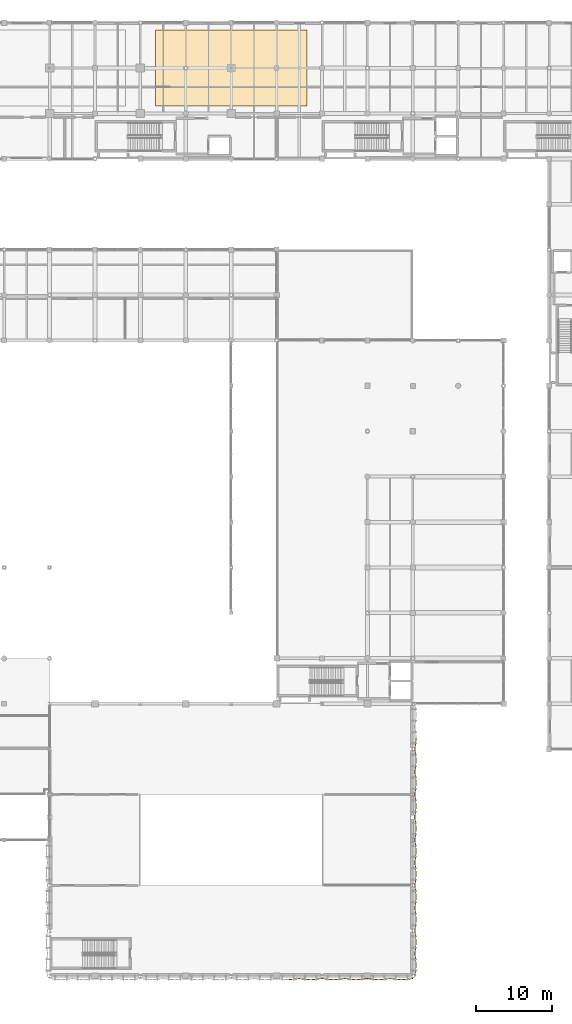
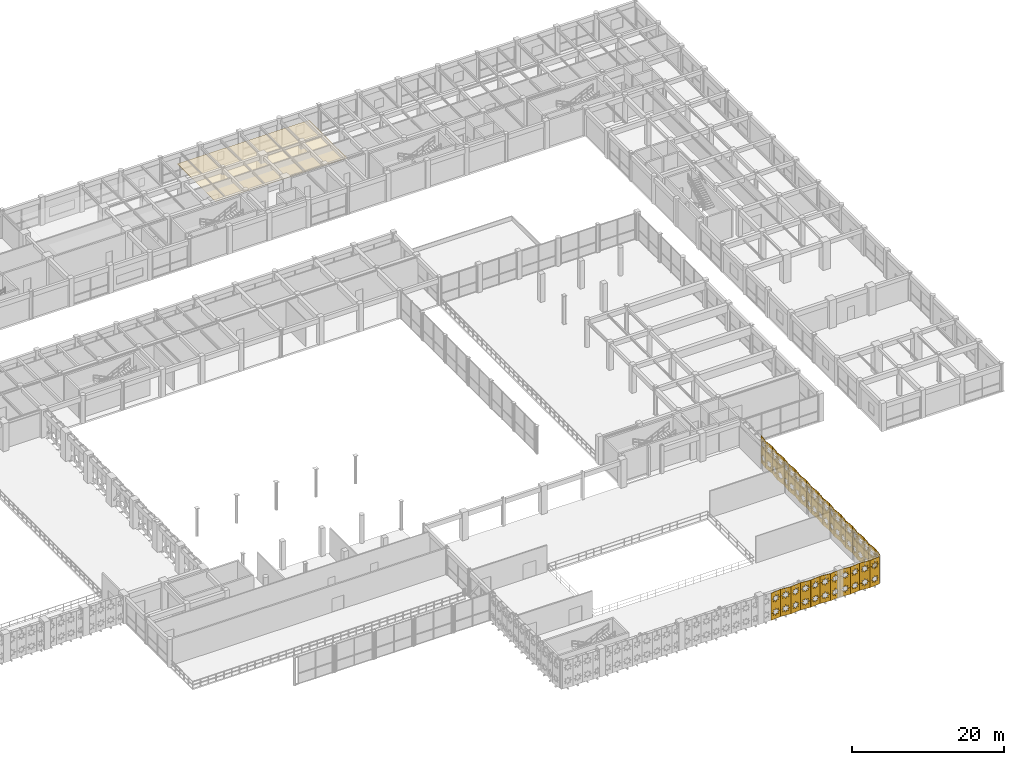
# One storey, part 114 of 116: 33 coverings.
"""IFC4 building model written with IfcOpenShell, lengths in metres."""

from ifc_helpers import new_model, si_unit, direction, frame, origin, place, context, subcontext, project, spatial, polyline, outline, extrude, material, layer, layer_set, type_object, element, save


model = new_model("IFC4")

# Units and contexts
model_context = context("Model", 3, precision=1e-05, world=origin(), true_north=direction((0.0, 1.0)))
body_context = subcontext(model_context, "Body", "Model", "MODEL_VIEW")
ifc_project = project(units=[si_unit("LENGTHUNIT", "METRE"), si_unit("AREAUNIT", "SQUARE_METRE"), si_unit("VOLUMEUNIT", "CUBIC_METRE"), si_unit("PLANEANGLEUNIT", "RADIAN"), si_unit("MASSUNIT", "GRAM", prefix="KILO"), si_unit("THERMODYNAMICTEMPERATUREUNIT", "KELVIN"), si_unit("POWERUNIT", "WATT")], contexts=[model_context])

# Site, building, storey
site_placement = place(None, origin())
site = spatial("IfcSite", under=ifc_project, at=site_placement, CompositionType="ELEMENT")
building_placement = place(site_placement, origin())
building = spatial("IfcBuilding", under=site, at=building_placement, Name="Phaisarnlok Congress Hotel", CompositionType="ELEMENT")
storey_placement = place(building_placement, frame((0.0, 0.0, 10.5)))
storey = spatial("IfcBuildingStorey", under=building, at=storey_placement, Name="L02", CompositionType="ELEMENT", Elevation=10.5)

# Coverings
ifc_material_1 = material(Name="Perforated Timber & Mineral-Fibre Acoustic Ceiling", Category="wood")
ifc_layer_1 = layer(ifc_material_1, 0.01806640625, Name="Perforated Timber & Mineral-Fibre Acoustic Ceiling")
ifc_layer_set_1 = layer_set([ifc_layer_1], Name="Perforated Timber & Mineral-Fibre Acoustic Ceiling")
covering_type_1 = type_object("IfcCoveringType", Name="CLG-AC-18", PredefinedType="CEILING", material=ifc_layer_set_1)
covering_placement = place(storey_placement, frame((0.0, 0.0, 3.199951171875)))
element("IfcCovering", 1, at=covering_placement, inside=storey, type_object=covering_type_1, Name="Suspended ceiling CLG-01 (L02)", PredefinedType="CEILING", context=body_context, shape_type="SweptSolid", body=[
    extrude(outline(polyline([(110.0, 125.0), (130.0, 125.0), (130.0, 115.0), (110.0, 115.0), (110.0, 125.0)])), origin(), (0.0, 0.0, 1.0), 0.01806640625),
])
ifc_material_2 = material(Name="PVDF White Perforated Aluminium Alloy 5052", Category="aluminium")
ifc_layer_2 = layer(ifc_material_2, 0.0400390625, Name="PVDF White Perforated Aluminium Alloy 5052")
ifc_layer_set_2 = layer_set([ifc_layer_2], Name="PVDF White Perforated Aluminium Alloy 5052")
covering_type_2 = type_object("IfcCoveringType", Name="COV-STAR-FOLD", PredefinedType="CLADDING", material=ifc_layer_set_2)
for number, where, z_axis, x_axis, name in (
    (2, (127.5, -0.457763671875, 0.06005859375), (0.104566819602, -0.994517863207, 0.0), (0.994517863207, 0.104566819602, 0.0), "Folded star-perforated hall screen SS-02 (V2S L02)"),
    (3, (129.0, -0.300048828125, 0.06005859375), (-0.104566819602, -0.994517863207, 0.0), (0.994517863207, -0.104566819602, 0.0), "Folded star-perforated hall screen SS-02 (V2S L02)"),
    (4, (130.5, -0.457763671875, 0.06005859375), (0.104566819602, -0.994517863207, 0.0), (0.994517863207, 0.104566819602, 0.0), "Folded star-perforated hall screen SS-02 (V2S L02)"),
    (5, (132.0, -0.300048828125, 0.06005859375), (-0.104566819602, -0.994517863207, 0.0), (0.994517863207, -0.104566819602, 0.0), "Folded star-perforated hall screen SS-02 (V2S L02)"),
    (6, (133.5, -0.457763671875, 0.06005859375), (0.104566819602, -0.994517863207, 0.0), (0.994517863207, 0.104566819602, 0.0), "Folded star-perforated hall screen SS-02 (V2S L02)"),
    (7, (135.0, -0.300048828125, 0.06005859375), (-0.104566819602, -0.994517863207, 0.0), (0.994517863207, -0.104566819602, 0.0), "Folded star-perforated hall screen SS-02 (V2S L02)"),
    (8, (136.5, -0.457763671875, 0.06005859375), (0.104566819602, -0.994517863207, 0.0), (0.994517863207, 0.104566819602, 0.0), "Folded star-perforated hall screen SS-02 (V2S L02)"),
    (9, (138.0, -0.300048828125, 0.06005859375), (-0.104566819602, -0.994517863207, 0.0), (0.994517863207, -0.104566819602, 0.0), "Folded star-perforated hall screen SS-02 (V2S L02)"),
    (10, (139.5, -0.457763671875, 0.06005859375), (0.104566819602, -0.994517863207, 0.0), (0.994517863207, 0.104566819602, 0.0), "Folded star-perforated hall screen SS-02 (V2S L02)"),
    (11, (141.0, -0.300048828125, 0.06005859375), (-0.104566819602, -0.994517863207, 0.0), (0.994517863207, -0.104566819602, 0.0), "Folded star-perforated hall screen SS-02 (V2S L02)"),
    (12, (142.5, -0.457763671875, 0.06005859375), (0.104566819602, -0.994517863207, 0.0), (0.994517863207, 0.104566819602, 0.0), "Folded star-perforated hall screen SS-02 (V2S L02)"),
    (13, (144.457763671875, 1.5, 0.06005859375), (-0.994517863207, 0.104566819602, 0.0), (-0.104566819602, -0.994517863207, 0.0), "Folded star-perforated hall screen SS-02 (V2E L02)"),
    (14, (144.300048828125, 3.0, 0.06005859375), (-0.994517863207, -0.104566819602, 0.0), (0.104566819602, -0.994517863207, 0.0), "Folded star-perforated hall screen SS-02 (V2E L02)"),
    (15, (144.457763671875, 4.5, 0.06005859375), (-0.994517863207, 0.104566819602, 0.0), (-0.104566819602, -0.994517863207, 0.0), "Folded star-perforated hall screen SS-02 (V2E L02)"),
    (16, (144.300048828125, 6.0, 0.06005859375), (-0.994517863207, -0.104566819602, 0.0), (0.104566819602, -0.994517863207, 0.0), "Folded star-perforated hall screen SS-02 (V2E L02)"),
    (17, (144.457763671875, 7.5, 0.06005859375), (-0.994517863207, 0.104566819602, 0.0), (-0.104566819602, -0.994517863207, 0.0), "Folded star-perforated hall screen SS-02 (V2E L02)"),
    (18, (144.300048828125, 9.0, 0.06005859375), (-0.994517863207, -0.104566819602, 0.0), (0.104566819602, -0.994517863207, 0.0), "Folded star-perforated hall screen SS-02 (V2E L02)"),
    (19, (144.457763671875, 10.5, 0.06005859375), (-0.994517863207, 0.104566819602, 0.0), (-0.104566819602, -0.994517863207, 0.0), "Folded star-perforated hall screen SS-02 (V2E L02)"),
    (20, (144.300048828125, 12.0, 0.06005859375), (-0.994517863207, -0.104566819602, 0.0), (0.104566819602, -0.994517863207, 0.0), "Folded star-perforated hall screen SS-02 (V2E L02)"),
    (21, (144.457763671875, 13.5, 0.06005859375), (-0.994517863207, 0.104566819602, 0.0), (-0.104566819602, -0.994517863207, 0.0), "Folded star-perforated hall screen SS-02 (V2E L02)"),
    (22, (144.300048828125, 15.0, 0.06005859375), (-0.994517863207, -0.104566819602, 0.0), (0.104566819602, -0.994517863207, 0.0), "Folded star-perforated hall screen SS-02 (V2E L02)"),
    (23, (144.457763671875, 16.5, 0.06005859375), (-0.994517863207, 0.104566819602, 0.0), (-0.104566819602, -0.994517863207, 0.0), "Folded star-perforated hall screen SS-02 (V2E L02)"),
    (24, (144.300048828125, 18.0, 0.06005859375), (-0.994517863207, -0.104566819602, 0.0), (0.104566819602, -0.994517863207, 0.0), "Folded star-perforated hall screen SS-02 (V2E L02)"),
    (25, (144.457763671875, 19.5, 0.06005859375), (-0.994517863207, 0.104566819602, 0.0), (-0.104566819602, -0.994517863207, 0.0), "Folded star-perforated hall screen SS-02 (V2E L02)"),
    (26, (144.300048828125, 21.0, 0.06005859375), (-0.994517863207, -0.104566819602, 0.0), (0.104566819602, -0.994517863207, 0.0), "Folded star-perforated hall screen SS-02 (V2E L02)"),
    (27, (144.457763671875, 22.5, 0.06005859375), (-0.994517863207, 0.104566819602, 0.0), (-0.104566819602, -0.994517863207, 0.0), "Folded star-perforated hall screen SS-02 (V2E L02)"),
    (28, (144.300048828125, 24.0, 0.06005859375), (-0.994517863207, -0.104566819602, 0.0), (0.104566819602, -0.994517863207, 0.0), "Folded star-perforated hall screen SS-02 (V2E L02)"),
    (29, (144.457763671875, 25.5, 0.06005859375), (-0.994517863207, 0.104566819602, 0.0), (-0.104566819602, -0.994517863207, 0.0), "Folded star-perforated hall screen SS-02 (V2E L02)"),
    (30, (144.300048828125, 27.0, 0.06005859375), (-0.994517863207, -0.104566819602, 0.0), (0.104566819602, -0.994517863207, 0.0), "Folded star-perforated hall screen SS-02 (V2E L02)"),
    (31, (144.457763671875, 28.5, 0.06005859375), (-0.994517863207, 0.104566819602, 0.0), (-0.104566819602, -0.994517863207, 0.0), "Folded star-perforated hall screen SS-02 (V2E L02)"),
    (32, (144.300048828125, 30.0, 0.06005859375), (-0.994517863207, -0.104566819602, 0.0), (0.104566819602, -0.994517863207, 0.0), "Folded star-perforated hall screen SS-02 (V2E L02)"),
    (33, (144.457763671875, 31.5, 0.06005859375), (-0.994517863207, 0.104566819602, 0.0), (-0.104566819602, -0.994517863207, 0.0), "Folded star-perforated hall screen SS-02 (V2E L02)"),
):
    element("IfcCovering", number, at=place(storey_placement, frame(where, z_axis=z_axis, x_axis=x_axis)), inside=storey, type_object=covering_type_2, Name=name, PredefinedType="CLADDING", context=body_context, shape_type="SweptSolid", body=[
        extrude(outline(polyline([(0.0, 0.0), (1.5082685344258453, 0.0), (1.5082685344258453, 4.35986328125), (0.0, 4.35986328125), (0.0, 0.0)]), holes=[polyline([(1.0351, 0.9736), (1.2021, 0.6421), (0.8705, 0.8091), (0.7541, 0.4565), (0.6378, 0.8091), (0.3062, 0.6421), (0.4732, 0.9736), (0.1207, 1.09), (0.4732, 1.2064), (0.3062, 1.5379), (0.6378, 1.3709), (0.7541, 1.7235), (0.8705, 1.3709), (1.2021, 1.5379), (1.0351, 1.2064), (1.3876, 1.09), (1.0351, 0.9736)]), polyline([(1.0351, 3.1536), (1.2021, 2.8221), (0.8705, 2.9891), (0.7541, 2.6365), (0.6378, 2.9891), (0.3062, 2.8221), (0.4732, 3.1536), (0.1207, 3.27), (0.4732, 3.3864), (0.3062, 3.7179), (0.6378, 3.5509), (0.7541, 3.9035), (0.8705, 3.5509), (1.2021, 3.7179), (1.0351, 3.3864), (1.3876, 3.27), (1.0351, 3.1536)])]), origin(), (0.0, 0.0, 1.0), 0.0400390625),
    ])

save(model, "model.ifc")
